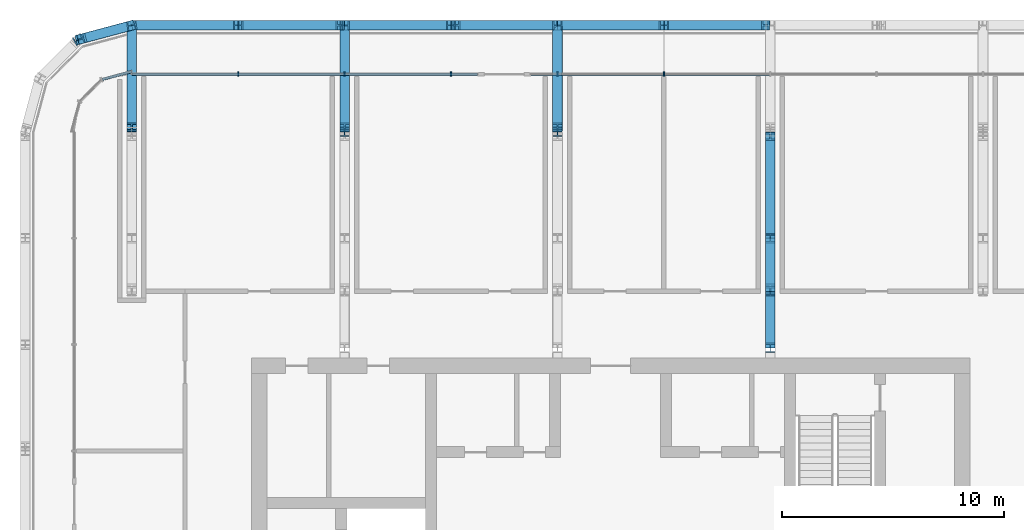
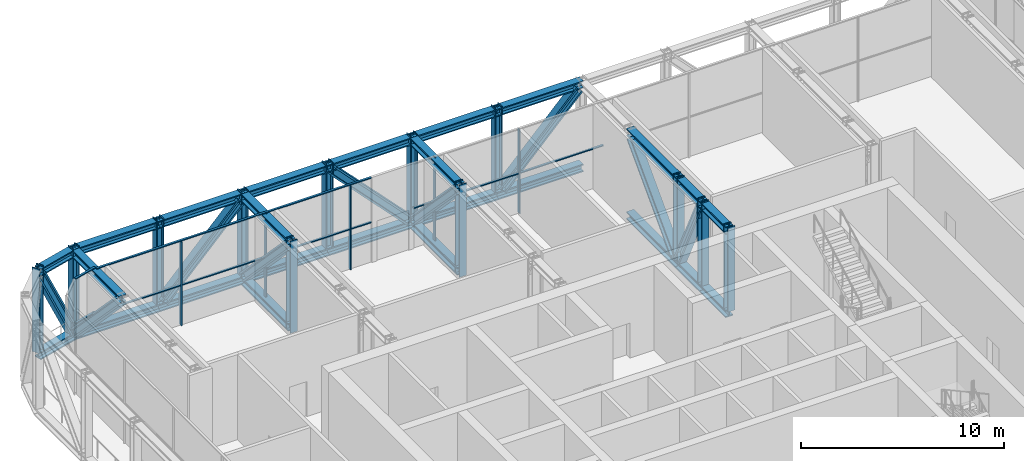
# One storey, part 8 of 22: 61 members, 2 elements without a shape of their own.
"""IFC4 building model written with IfcOpenShell, lengths in metres."""

from ifc_helpers import new_model, si_unit, direction, frame, origin, origin_2d, place, context, subcontext, project, spatial, rectangle, i_section, extrude, material, layer, layer_set, material_profile, profile_set, type_object, element, aggregate, save


model = new_model("IFC4")

# Units and contexts
model_context = context("Model", 3, precision=1e-05, world=origin(), true_north=direction((0.0, 1.0)))
body_context = subcontext(model_context, "Body", "Model", "MODEL_VIEW")
ifc_project = project(units=[si_unit("LENGTHUNIT", "METRE"), si_unit("AREAUNIT", "SQUARE_METRE"), si_unit("VOLUMEUNIT", "CUBIC_METRE"), si_unit("PLANEANGLEUNIT", "RADIAN"), si_unit("MASSUNIT", "GRAM", prefix="KILO")], contexts=[model_context])

# Site, building, storey
site_placement = place(None, origin())
site = spatial("IfcSite", under=ifc_project, at=site_placement, CompositionType="ELEMENT")
building_placement = place(site_placement, origin())
building = spatial("IfcBuilding", under=site, at=building_placement, Name="Madar Terraces", CompositionType="ELEMENT")
storey_placement = place(building_placement, frame((0.0, 0.0, 203.39990234375)))
storey = spatial("IfcBuildingStorey", under=building, at=storey_placement, Name="L53", CompositionType="ELEMENT", Elevation=203.39990234375)

# Members
ifc_material_1 = material(Name="Steel ASTM A992 Grade 50", Category="steel")
ifc_material_profile_1 = material_profile(ifc_material_1, i_section(OverallWidth=0.421630859375, OverallDepth=0.46484375, WebThickness=0.044921875, FlangeThickness=0.072509765625, at=origin_2d()), Name="W14x398")
ifc_profile_set_1 = profile_set([ifc_material_profile_1], Name="Steel ASTM A992 Grade 50")
member_type_1 = type_object("IfcMemberType", Name="BC7 W14x398", PredefinedType="CHORD", material=ifc_profile_set_1)
member_1_placement = place(storey_placement, frame((38.39990234375, 52.800048828125, -0.1875), z_axis=(-1.0, 0.0, 0.0), x_axis=(0.0, -1.0, 0.0)))
element("IfcMember", 1, at=member_1_placement, inside=storey, type_object=member_type_1, Name="Exoskeleton truss ring bottom chord BC7", PredefinedType="CHORD", context=body_context, shape_type="SweptSolid", body=[
    extrude(i_section(OverallWidth=0.421630859375, OverallDepth=0.46484375, WebThickness=0.044921875, FlangeThickness=0.072509765625, at=origin_2d()), origin(), (0.0, 0.0, 1.0), 4.7998046875),
])
for number, where, z_axis, x_axis, name in (
    (2, (33.60009765625, 52.800048828125, -0.1875), (-1.0, 0.0, 0.0), (0.0, -1.0, 0.0), "Exoskeleton truss ring bottom chord BC7"),
    (3, (28.800048828125, 52.800048828125, -0.1875), (-1.0, 0.0, 0.0), (0.0, -1.0, 0.0), "Exoskeleton truss ring bottom chord BC7"),
    (4, (24.0, 52.800048828125, -0.1875), (-1.0, 0.0, 0.0), (0.0, -1.0, 0.0), "Exoskeleton truss ring bottom chord BC7"),
    (5, (19.199951171875, 52.800048828125, -0.1875), (-1.0, 0.0, 0.0), (0.0, -1.0, 0.0), "Exoskeleton truss ring bottom chord BC7"),
):
    element("IfcMember", number, at=place(storey_placement, frame(where, z_axis=z_axis, x_axis=x_axis)), inside=storey, type_object=member_type_1, Name=name, PredefinedType="CHORD", context=body_context, shape_type="SweptSolid", body=[
        extrude(i_section(OverallWidth=0.421630859375, OverallDepth=0.46484375, WebThickness=0.044921875, FlangeThickness=0.072509765625, at=origin_2d()), origin(), (0.0, 0.0, 1.0), 4.800048828125),
    ])
member_2_placement = place(storey_placement, frame((14.39990234375, 52.800048828125, -0.1875), z_axis=(-1.0, 0.0, 0.0), x_axis=(0.0, -1.0, 0.0)))
element("IfcMember", 6, at=member_2_placement, inside=storey, type_object=member_type_1, Name="Exoskeleton truss ring bottom chord BC7", PredefinedType="CHORD", context=body_context, shape_type="SweptSolid", body=[
    extrude(i_section(OverallWidth=0.421630859375, OverallDepth=0.46484375, WebThickness=0.044921875, FlangeThickness=0.072509765625, at=origin_2d()), origin(), (0.0, 0.0, 1.0), 4.7998046875),
])
member_3_placement = place(storey_placement, frame((9.60009765625, 52.800048828125, -0.1875), z_axis=(-0.965930947833, -0.258799930484, 0.0), x_axis=(0.258799930484, -0.965930947833, 0.0)))
element("IfcMember", 7, at=member_3_placement, inside=storey, type_object=member_type_1, Name="Exoskeleton truss ring bottom chord BC7", PredefinedType="CHORD", context=body_context, shape_type="SweptSolid", body=[
    extrude(i_section(OverallWidth=0.421630859375, OverallDepth=0.46484375, WebThickness=0.044921875, FlangeThickness=0.072509765625, at=origin_2d()), origin(), (0.0, 0.0, 1.0), 2.48486328125),
])
for number, where, z_axis, x_axis, name in (
    (8, (19.199951171875, 52.589111328125, -0.1875), (0.0, -1.0, 0.0), (1.0, 0.0, 0.0), "Exoskeleton truss cross N19.2 bottom chord BC7"),
    (9, (28.800048828125, 52.589111328125, -0.1875), (0.0, -1.0, 0.0), (1.0, 0.0, 0.0), "Exoskeleton truss cross N28.8 bottom chord BC7"),
):
    element("IfcMember", number, at=place(storey_placement, frame(where, z_axis=z_axis, x_axis=x_axis)), inside=storey, type_object=member_type_1, Name=name, PredefinedType="CHORD", context=body_context, shape_type="SweptSolid", body=[
        extrude(i_section(OverallWidth=0.421630859375, OverallDepth=0.46484375, WebThickness=0.044921875, FlangeThickness=0.072509765625, at=origin_2d()), origin(), (0.0, 0.0, 1.0), 4.589111328125),
    ])
member_4_placement = place(storey_placement, frame((38.39990234375, 48.0, -0.1875), z_axis=(0.0, -1.0, 0.0), x_axis=(1.0, 0.0, 0.0)))
element("IfcMember", 10, at=member_4_placement, inside=storey, type_object=member_type_1, Name="Exoskeleton truss cross N38.4 bottom chord BC7", PredefinedType="CHORD", context=body_context, shape_type="SweptSolid", body=[
    extrude(i_section(OverallWidth=0.421630859375, OverallDepth=0.46484375, WebThickness=0.044921875, FlangeThickness=0.072509765625, at=origin_2d()), origin(), (0.0, 0.0, 1.0), 4.800048828125),
])
member_5_placement = place(storey_placement, frame((38.39990234375, 43.199951171875, -0.1875), z_axis=(0.0, -1.0, 0.0), x_axis=(1.0, 0.0, 0.0)))
element("IfcMember", 11, at=member_5_placement, inside=storey, type_object=member_type_1, Name="Exoskeleton truss cross N38.4 bottom chord BC7", PredefinedType="CHORD", context=body_context, shape_type="SweptSolid", body=[
    extrude(i_section(OverallWidth=0.421630859375, OverallDepth=0.46484375, WebThickness=0.044921875, FlangeThickness=0.072509765625, at=origin_2d()), origin(), (0.0, 0.0, 1.0), 2.39990234375),
])
member_6_placement = place(storey_placement, frame((38.39990234375, 40.800048828125, -0.1875), z_axis=(0.0, -1.0, 0.0), x_axis=(1.0, 0.0, 0.0)))
element("IfcMember", 12, at=member_6_placement, inside=storey, type_object=member_type_1, Name="Exoskeleton truss cross N38.4 bottom chord BC7", PredefinedType="CHORD", context=body_context, shape_type="SweptSolid", body=[
    extrude(i_section(OverallWidth=0.421630859375, OverallDepth=0.46484375, WebThickness=0.044921875, FlangeThickness=0.072509765625, at=origin_2d()), origin(), (0.0, 0.0, 1.0), 2.550048828125),
])

# Curtain wall, members
ifc_material_2 = material(Name="Glass, ceramic frit dark grey, with black aluminium frame", Category="aluminium")
ifc_layer = layer(ifc_material_2, 0.199951171875)
ifc_layer_set = layer_set([ifc_layer], Name="Facade curtain wall, tall glazing")
curtain_wall_type = type_object("IfcCurtainWallType", Name="Facade curtain wall, tall glazing", PredefinedType="NOTDEFINED", material=ifc_layer_set)
curtain_wall_1_placement = place(storey_placement, origin())
curtain_wall_1 = element("IfcCurtainWall", 13, at=curtain_wall_1_placement, inside=storey, type_object=curtain_wall_type, Name="Outer skin curtain wall north bay 1", PredefinedType="NOTDEFINED")
ifc_material_3 = material(Name="Aluminium, black anodised", Category="aluminium")
ifc_material_profile_2 = material_profile(ifc_material_3, rectangle(XDim=0.199951171875, YDim=0.06005859375, at=origin_2d()), Name="Facade mullion 60x200")
ifc_profile_set_2 = profile_set([ifc_material_profile_2], Name="Aluminium, black anodised")
member_type_2 = type_object("IfcMemberType", Name="Facade mullion 60x200", PredefinedType="MULLION", material=ifc_profile_set_2)
member_7_placement = place(storey_placement, frame((33.60009765625, 50.60009765625, 0.0), z_axis=(0.0, 0.0, 1.0), x_axis=(0.0, -1.0, 0.0)))
member_7 = element("IfcMember", 14, at=member_7_placement, type_object=member_type_2, Name="Mullion 5", PredefinedType="MULLION", context=body_context, shape_type="SweptSolid", body=[
    extrude(rectangle(XDim=0.199951171875, YDim=0.06005859375, at=origin_2d()), origin(), (0.0, 0.0, 1.0), 5.0400390625),
])
member_8_placement = place(storey_placement, frame((28.800048828125, 50.60009765625, 0.0), z_axis=(0.0, 0.0, 1.0), x_axis=(0.0, -1.0, 0.0)))
member_8 = element("IfcMember", 15, at=member_8_placement, type_object=member_type_2, Name="Mullion 6", PredefinedType="MULLION", context=body_context, shape_type="SweptSolid", body=[
    extrude(rectangle(XDim=0.199951171875, YDim=0.06005859375, at=origin_2d()), origin(), (0.0, 0.0, 1.0), 5.0400390625),
])
member_9_placement = place(storey_placement, frame((24.0, 50.60009765625, 0.0), z_axis=(0.0, 0.0, 1.0), x_axis=(0.0, -1.0, 0.0)))
member_9 = element("IfcMember", 16, at=member_9_placement, type_object=member_type_2, Name="Mullion 7", PredefinedType="MULLION", context=body_context, shape_type="SweptSolid", body=[
    extrude(rectangle(XDim=0.199951171875, YDim=0.06005859375, at=origin_2d()), origin(), (0.0, 0.0, 1.0), 5.0400390625),
])
member_10_placement = place(storey_placement, frame((19.199951171875, 50.60009765625, 0.0), z_axis=(0.0, 0.0, 1.0), x_axis=(0.0, -1.0, 0.0)))
member_10 = element("IfcMember", 17, at=member_10_placement, type_object=member_type_2, Name="Mullion 8", PredefinedType="MULLION", context=body_context, shape_type="SweptSolid", body=[
    extrude(rectangle(XDim=0.199951171875, YDim=0.06005859375, at=origin_2d()), origin(), (0.0, 0.0, 1.0), 5.0400390625),
])
member_11_placement = place(storey_placement, frame((14.39990234375, 50.60009765625, 0.0), z_axis=(0.0, 0.0, 1.0), x_axis=(0.0, -1.0, 0.0)))
member_11 = element("IfcMember", 18, at=member_11_placement, type_object=member_type_2, Name="Mullion 9", PredefinedType="MULLION", context=body_context, shape_type="SweptSolid", body=[
    extrude(rectangle(XDim=0.199951171875, YDim=0.06005859375, at=origin_2d()), origin(), (0.0, 0.0, 1.0), 5.0400390625),
])
ifc_material_4 = material(Name="Aluminium, black anodised", Category="aluminium")
ifc_material_profile_3 = material_profile(ifc_material_4, rectangle(XDim=0.1201171875, YDim=0.06005859375, at=origin_2d()), Name="Facade transom 60x120")
ifc_profile_set_3 = profile_set([ifc_material_profile_3], Name="Aluminium, black anodised")
member_type_3 = type_object("IfcMemberType", Name="Facade transom 60x120", PredefinedType="USERDEFINED", material=ifc_profile_set_3)
member_12_placement = place(storey_placement, frame((38.3701171875, 50.60009765625, 2.400146484375), z_axis=(-1.0, 0.0, 0.0), x_axis=(0.0, -1.0, 0.0)))
member_12 = element("IfcMember", 19, at=member_12_placement, type_object=member_type_3, Name="Transom 6", ObjectType="TRANSOM", PredefinedType="USERDEFINED", context=body_context, shape_type="SweptSolid", body=[
    extrude(rectangle(XDim=0.1201171875, YDim=0.06005859375, at=origin_2d()), origin(), (0.0, 0.0, 1.0), 4.740234375),
])
member_13_placement = place(storey_placement, frame((33.570068359375, 50.60009765625, 2.400146484375), z_axis=(-1.0, 0.0, 0.0), x_axis=(0.0, -1.0, 0.0)))
member_13 = element("IfcMember", 20, at=member_13_placement, type_object=member_type_3, Name="Transom 7", ObjectType="TRANSOM", PredefinedType="USERDEFINED", context=body_context, shape_type="SweptSolid", body=[
    extrude(rectangle(XDim=0.1201171875, YDim=0.06005859375, at=origin_2d()), origin(), (0.0, 0.0, 1.0), 4.739990234375),
])
member_14_placement = place(storey_placement, frame((28.77001953125, 50.60009765625, 2.400146484375), z_axis=(-1.0, 0.0, 0.0), x_axis=(0.0, -1.0, 0.0)))
member_14 = element("IfcMember", 21, at=member_14_placement, type_object=member_type_3, Name="Transom 8", ObjectType="TRANSOM", PredefinedType="USERDEFINED", context=body_context, shape_type="SweptSolid", body=[
    extrude(rectangle(XDim=0.1201171875, YDim=0.06005859375, at=origin_2d()), origin(), (0.0, 0.0, 1.0), 1.169921875),
])
member_15_placement = place(storey_placement, frame((25.199951171875, 50.60009765625, 5.070068359375), z_axis=(-1.0, 0.0, 0.0), x_axis=(0.0, -1.0, 0.0)))
member_15 = element("IfcMember", 22, at=member_15_placement, type_object=member_type_3, Name="Transom 9", ObjectType="TRANSOM", PredefinedType="USERDEFINED", context=body_context, shape_type="SweptSolid", body=[
    extrude(rectangle(XDim=0.1201171875, YDim=0.06005859375, at=origin_2d()), origin(), (0.0, 0.0, 1.0), 15.599853515625),
])
member_16_placement = place(storey_placement, frame((25.199951171875, 50.60009765625, 2.400146484375), z_axis=(-1.0, 0.0, 0.0), x_axis=(0.0, -1.0, 0.0)))
member_16 = element("IfcMember", 23, at=member_16_placement, type_object=member_type_3, Name="Transom 10", ObjectType="TRANSOM", PredefinedType="USERDEFINED", context=body_context, shape_type="SweptSolid", body=[
    extrude(rectangle(XDim=0.1201171875, YDim=0.06005859375, at=origin_2d()), origin(), (0.0, 0.0, 1.0), 1.169921875),
])
member_17_placement = place(storey_placement, frame((23.969970703125, 50.60009765625, 2.400146484375), z_axis=(-1.0, 0.0, 0.0), x_axis=(0.0, -1.0, 0.0)))
member_17 = element("IfcMember", 24, at=member_17_placement, type_object=member_type_3, Name="Transom 11", ObjectType="TRANSOM", PredefinedType="USERDEFINED", context=body_context, shape_type="SweptSolid", body=[
    extrude(rectangle(XDim=0.1201171875, YDim=0.06005859375, at=origin_2d()), origin(), (0.0, 0.0, 1.0), 4.739990234375),
])
member_18_placement = place(storey_placement, frame((19.169921875, 50.60009765625, 2.400146484375), z_axis=(-1.0, 0.0, 0.0), x_axis=(0.0, -1.0, 0.0)))
member_18 = element("IfcMember", 25, at=member_18_placement, type_object=member_type_3, Name="Transom 12", ObjectType="TRANSOM", PredefinedType="USERDEFINED", context=body_context, shape_type="SweptSolid", body=[
    extrude(rectangle(XDim=0.1201171875, YDim=0.06005859375, at=origin_2d()), origin(), (0.0, 0.0, 1.0), 4.739990234375),
])
member_19_placement = place(storey_placement, frame((14.3701171875, 50.60009765625, 2.400146484375), z_axis=(-1.0, 0.0, 0.0), x_axis=(0.0, -1.0, 0.0)))
member_19 = element("IfcMember", 26, at=member_19_placement, type_object=member_type_3, Name="Transom 13", ObjectType="TRANSOM", PredefinedType="USERDEFINED", context=body_context, shape_type="SweptSolid", body=[
    extrude(rectangle(XDim=0.1201171875, YDim=0.06005859375, at=origin_2d()), origin(), (0.0, 0.0, 1.0), 4.77001953125),
])
aggregate(curtain_wall_1, [member_7, member_8, member_12, member_13, member_14, member_9, member_10, member_11, member_15, member_16, member_17, member_18, member_19])

curtain_wall_2_placement = place(storey_placement, origin())
curtain_wall_2 = element("IfcCurtainWall", 27, at=curtain_wall_2_placement, inside=storey, type_object=curtain_wall_type, Name="Outer skin curtain wall north-west corner", PredefinedType="NOTDEFINED")
member_20_placement = place(storey_placement, frame((9.60009765625, 50.719970703125, 5.070068359375), z_axis=(-0.965919580711, -0.258842352791, 0.0), x_axis=(0.258842352791, -0.965919580711, 0.0)))
member_20 = element("IfcMember", 28, at=member_20_placement, type_object=member_type_3, Name="Transom 1", ObjectType="TRANSOM", PredefinedType="USERDEFINED", context=body_context, shape_type="SweptSolid", body=[
    extrude(rectangle(XDim=0.1201171875, YDim=0.06005859375, at=origin_2d()), origin(), (0.0, 0.0, 1.0), 1.3779296875),
])
member_21_placement = place(storey_placement, frame((9.60009765625, 50.719970703125, 2.400146484375), z_axis=(-0.965919580711, -0.258842352791, 0.0), x_axis=(0.258842352791, -0.965919580711, 0.0)))
member_21 = element("IfcMember", 29, at=member_21_placement, type_object=member_type_3, Name="Transom 2", ObjectType="TRANSOM", PredefinedType="USERDEFINED", context=body_context, shape_type="SweptSolid", body=[
    extrude(rectangle(XDim=0.1201171875, YDim=0.06005859375, at=origin_2d()), origin(), (0.0, 0.0, 1.0), 1.3779296875),
])
aggregate(curtain_wall_2, [member_20, member_21])

# Members
ifc_material_5 = material(Name="Steel ASTM A992 Grade 50", Category="steel")
ifc_material_profile_4 = material_profile(ifc_material_5, i_section(OverallWidth=0.41650390625, OverallDepth=0.444580078125, WebThickness=0.0390625, FlangeThickness=0.062744140625, at=origin_2d()), Name="W14x342")
ifc_profile_set_4 = profile_set([ifc_material_profile_4], Name="Steel ASTM A992 Grade 50")
member_type_4 = type_object("IfcMemberType", Name="TC7 W14x342", PredefinedType="CHORD", material=ifc_profile_set_4)
member_22_placement = place(storey_placement, frame((38.39990234375, 52.800048828125, 4.807861328125), z_axis=(-1.0, 0.0, 0.0), x_axis=(0.0, -1.0, 0.0)))
element("IfcMember", 30, at=member_22_placement, inside=storey, type_object=member_type_4, Name="Exoskeleton truss ring top chord TC7", PredefinedType="CHORD", context=body_context, shape_type="SweptSolid", body=[
    extrude(i_section(OverallWidth=0.41650390625, OverallDepth=0.444580078125, WebThickness=0.0390625, FlangeThickness=0.062744140625, at=origin_2d()), origin(), (0.0, 0.0, 1.0), 4.7998046875),
])
for number, where, z_axis, x_axis, name in (
    (31, (33.60009765625, 52.800048828125, 4.807861328125), (-1.0, 0.0, 0.0), (0.0, -1.0, 0.0), "Exoskeleton truss ring top chord TC7"),
    (32, (28.800048828125, 52.800048828125, 4.807861328125), (-1.0, 0.0, 0.0), (0.0, -1.0, 0.0), "Exoskeleton truss ring top chord TC7"),
    (33, (24.0, 52.800048828125, 4.807861328125), (-1.0, 0.0, 0.0), (0.0, -1.0, 0.0), "Exoskeleton truss ring top chord TC7"),
    (34, (19.199951171875, 52.800048828125, 4.807861328125), (-1.0, 0.0, 0.0), (0.0, -1.0, 0.0), "Exoskeleton truss ring top chord TC7"),
):
    element("IfcMember", number, at=place(storey_placement, frame(where, z_axis=z_axis, x_axis=x_axis)), inside=storey, type_object=member_type_4, Name=name, PredefinedType="CHORD", context=body_context, shape_type="SweptSolid", body=[
        extrude(i_section(OverallWidth=0.41650390625, OverallDepth=0.444580078125, WebThickness=0.0390625, FlangeThickness=0.062744140625, at=origin_2d()), origin(), (0.0, 0.0, 1.0), 4.800048828125),
    ])
member_23_placement = place(storey_placement, frame((14.39990234375, 52.800048828125, 4.807861328125), z_axis=(-1.0, 0.0, 0.0), x_axis=(0.0, -1.0, 0.0)))
element("IfcMember", 35, at=member_23_placement, inside=storey, type_object=member_type_4, Name="Exoskeleton truss ring top chord TC7", PredefinedType="CHORD", context=body_context, shape_type="SweptSolid", body=[
    extrude(i_section(OverallWidth=0.41650390625, OverallDepth=0.444580078125, WebThickness=0.0390625, FlangeThickness=0.062744140625, at=origin_2d()), origin(), (0.0, 0.0, 1.0), 4.7998046875),
])
member_24_placement = place(storey_placement, frame((9.60009765625, 52.800048828125, 4.807861328125), z_axis=(-0.965930947833, -0.258799930484, 0.0), x_axis=(0.258799930484, -0.965930947833, 0.0)))
element("IfcMember", 36, at=member_24_placement, inside=storey, type_object=member_type_4, Name="Exoskeleton truss ring top chord TC7", PredefinedType="CHORD", context=body_context, shape_type="SweptSolid", body=[
    extrude(i_section(OverallWidth=0.41650390625, OverallDepth=0.444580078125, WebThickness=0.0390625, FlangeThickness=0.062744140625, at=origin_2d()), origin(), (0.0, 0.0, 1.0), 2.48486328125),
])
for number, where, z_axis, x_axis, name in (
    (37, (9.60009765625, 52.591796875, 4.807861328125), (0.0, -1.0, 0.0), (1.0, 0.0, 0.0), "Exoskeleton truss cross N9.6 top chord TC7"),
    (38, (19.199951171875, 52.591796875, 4.807861328125), (0.0, -1.0, 0.0), (1.0, 0.0, 0.0), "Exoskeleton truss cross N19.2 top chord TC7"),
    (39, (28.800048828125, 52.591796875, 4.807861328125), (0.0, -1.0, 0.0), (1.0, 0.0, 0.0), "Exoskeleton truss cross N28.8 top chord TC7"),
):
    element("IfcMember", number, at=place(storey_placement, frame(where, z_axis=z_axis, x_axis=x_axis)), inside=storey, type_object=member_type_4, Name=name, PredefinedType="CHORD", context=body_context, shape_type="SweptSolid", body=[
        extrude(i_section(OverallWidth=0.41650390625, OverallDepth=0.444580078125, WebThickness=0.0390625, FlangeThickness=0.062744140625, at=origin_2d()), origin(), (0.0, 0.0, 1.0), 4.591796875),
    ])
member_25_placement = place(storey_placement, frame((38.39990234375, 48.0, 4.807861328125), z_axis=(0.0, -1.0, 0.0), x_axis=(1.0, 0.0, 0.0)))
element("IfcMember", 40, at=member_25_placement, inside=storey, type_object=member_type_4, Name="Exoskeleton truss cross N38.4 top chord TC7", PredefinedType="CHORD", context=body_context, shape_type="SweptSolid", body=[
    extrude(i_section(OverallWidth=0.41650390625, OverallDepth=0.444580078125, WebThickness=0.0390625, FlangeThickness=0.062744140625, at=origin_2d()), origin(), (0.0, 0.0, 1.0), 4.800048828125),
])
member_26_placement = place(storey_placement, frame((38.39990234375, 43.199951171875, 4.807861328125), z_axis=(0.0, -1.0, 0.0), x_axis=(1.0, 0.0, 0.0)))
element("IfcMember", 41, at=member_26_placement, inside=storey, type_object=member_type_4, Name="Exoskeleton truss cross N38.4 top chord TC7", PredefinedType="CHORD", context=body_context, shape_type="SweptSolid", body=[
    extrude(i_section(OverallWidth=0.41650390625, OverallDepth=0.444580078125, WebThickness=0.0390625, FlangeThickness=0.062744140625, at=origin_2d()), origin(), (0.0, 0.0, 1.0), 2.39990234375),
])
member_27_placement = place(storey_placement, frame((38.39990234375, 40.800048828125, 4.807861328125), z_axis=(0.0, -1.0, 0.0), x_axis=(1.0, 0.0, 0.0)))
element("IfcMember", 42, at=member_27_placement, inside=storey, type_object=member_type_4, Name="Exoskeleton truss cross N38.4 top chord TC7", PredefinedType="CHORD", context=body_context, shape_type="SweptSolid", body=[
    extrude(i_section(OverallWidth=0.41650390625, OverallDepth=0.444580078125, WebThickness=0.0390625, FlangeThickness=0.062744140625, at=origin_2d()), origin(), (0.0, 0.0, 1.0), 2.550048828125),
])
ifc_material_6 = material(Name="Steel ASTM A992 Grade 50", Category="steel")
ifc_material_profile_5 = material_profile(ifc_material_6, i_section(OverallWidth=0.436767578125, OverallDepth=0.51318359375, WebThickness=0.060546875, FlangeThickness=0.096923828125, at=origin_2d()), Name="W14x550")
ifc_profile_set_5 = profile_set([ifc_material_profile_5], Name="Steel ASTM A992 Grade 50")
member_type_5 = type_object("IfcMemberType", Name="TD7 W14x550", PredefinedType="BRACE", material=ifc_profile_set_5)
member_28_placement = place(storey_placement, frame((38.1865234375, 52.800048828125, 4.585693359375), z_axis=(-0.692873921852, 0.0, -0.721058755177), x_axis=(0.0, -1.0, 0.0)))
element("IfcMember", 43, at=member_28_placement, inside=storey, type_object=member_type_5, Name="Exoskeleton truss ring diagonal TD7", PredefinedType="BRACE", context=body_context, shape_type="SweptSolid", body=[
    extrude(i_section(OverallWidth=0.436767578125, OverallDepth=0.51318359375, WebThickness=0.060546875, FlangeThickness=0.096923828125, at=origin_2d()), origin(), (0.0, 0.0, 1.0), 6.29736328125),
])
for number, where, z_axis, x_axis, name in (
    (44, (28.57666015625, 52.800048828125, 0.044921875), (-0.692853764203, 0.0, 0.721078124359), (0.0, -1.0, 0.0), "Exoskeleton truss ring diagonal TD7"),
    (45, (18.986328125, 52.800048828125, 4.585693359375), (-0.692853764203, 0.0, -0.721078124359), (0.0, -1.0, 0.0), "Exoskeleton truss ring diagonal TD7"),
):
    element("IfcMember", number, at=place(storey_placement, frame(where, z_axis=z_axis, x_axis=x_axis)), inside=storey, type_object=member_type_5, Name=name, PredefinedType="BRACE", context=body_context, shape_type="SweptSolid", body=[
        extrude(i_section(OverallWidth=0.436767578125, OverallDepth=0.51318359375, WebThickness=0.060546875, FlangeThickness=0.096923828125, at=origin_2d()), origin(), (0.0, 0.0, 1.0), 6.297119140625),
    ])
member_29_placement = place(storey_placement, frame((9.48828125, 52.77001953125, 0.044921875), z_axis=(-0.430140230905, -0.115249660077, 0.895375283112), x_axis=(0.258806332687, -0.965929232481, 0.0)))
element("IfcMember", 46, at=member_29_placement, inside=storey, type_object=member_type_5, Name="Exoskeleton truss ring diagonal TD7", PredefinedType="BRACE", context=body_context, shape_type="SweptSolid", body=[
    extrude(i_section(OverallWidth=0.436767578125, OverallDepth=0.51318359375, WebThickness=0.060546875, FlangeThickness=0.096923828125, at=origin_2d()), origin(), (0.0, 0.0, 1.0), 5.0712890625),
])
for number, where, z_axis, x_axis, name in (
    (47, (9.60009765625, 52.57666015625, 0.044921875), (0.0, -0.692853764203, 0.721078124359), (1.0, 0.0, 0.0), "Exoskeleton truss cross N9.6 diagonal TD7"),
    (48, (19.199951171875, 52.57666015625, 0.044921875), (0.0, -0.692853764203, 0.721078124359), (1.0, 0.0, 0.0), "Exoskeleton truss cross N19.2 diagonal TD7"),
    (49, (28.800048828125, 52.57666015625, 0.044921875), (0.0, -0.692853764203, 0.721078124359), (1.0, 0.0, 0.0), "Exoskeleton truss cross N28.8 diagonal TD7"),
    (50, (38.39990234375, 47.786376953125, 4.585693359375), (0.0, -0.692853764203, -0.721078124359), (1.0, 0.0, 0.0), "Exoskeleton truss cross N38.4 diagonal TD7"),
):
    element("IfcMember", number, at=place(storey_placement, frame(where, z_axis=z_axis, x_axis=x_axis)), inside=storey, type_object=member_type_5, Name=name, PredefinedType="BRACE", context=body_context, shape_type="SweptSolid", body=[
        extrude(i_section(OverallWidth=0.436767578125, OverallDepth=0.51318359375, WebThickness=0.060546875, FlangeThickness=0.096923828125, at=origin_2d()), origin(), (0.0, 0.0, 1.0), 6.297119140625),
    ])
member_30_placement = place(storey_placement, frame((38.39990234375, 43.08837890625, 0.044921875), z_axis=(0.0, -0.433065047911, 0.901362670781), x_axis=(1.0, 0.0, 0.0)))
element("IfcMember", 51, at=member_30_placement, inside=storey, type_object=member_type_5, Name="Exoskeleton truss cross N38.4 diagonal TD7", PredefinedType="BRACE", context=body_context, shape_type="SweptSolid", body=[
    extrude(i_section(OverallWidth=0.436767578125, OverallDepth=0.51318359375, WebThickness=0.060546875, FlangeThickness=0.096923828125, at=origin_2d()), origin(), (0.0, 0.0, 1.0), 5.03759765625),
])
ifc_material_7 = material(Name="Steel ASTM A992 Grade 50", Category="steel")
ifc_material_profile_6 = material_profile(ifc_material_7, i_section(OverallWidth=0.408935546875, OverallDepth=0.424072265625, WebThickness=0.03271484375, FlangeThickness=0.052490234375, at=origin_2d()), Name="W14x283")
ifc_profile_set_6 = profile_set([ifc_material_profile_6], Name="Steel ASTM A992 Grade 50")
member_type_6 = type_object("IfcMemberType", Name="TV7 W14x283", PredefinedType="POST", material=ifc_profile_set_6)
for number, where, z_axis, x_axis, name in (
    (52, (33.60009765625, 52.800048828125, 0.044921875), (0.0, 0.0, 1.0), (0.0, -1.0, 0.0), "Exoskeleton truss ring post TV7"),
    (53, (28.800048828125, 52.800048828125, 0.044921875), (0.0, 0.0, 1.0), (0.0, -1.0, 0.0), "Exoskeleton truss ring post TV7"),
    (54, (24.0, 52.800048828125, 0.044921875), (0.0, 0.0, 1.0), (0.0, -1.0, 0.0), "Exoskeleton truss ring post TV7"),
    (55, (19.199951171875, 52.800048828125, 0.044921875), (0.0, 0.0, 1.0), (0.0, -1.0, 0.0), "Exoskeleton truss ring post TV7"),
    (56, (14.39990234375, 52.800048828125, 0.044921875), (0.0, 0.0, 1.0), (0.0, -1.0, 0.0), "Exoskeleton truss ring post TV7"),
    (57, (9.60009765625, 52.800048828125, 0.044921875), (0.0, 0.0, 1.0), (0.130526174916, -0.991444863652, 0.0), "Exoskeleton truss ring post TV7"),
    (58, (7.199951171875, 52.156982421875, 0.044921875), (0.0, 0.0, 1.0), (0.499999984885, -0.866025412511, 0.0), "Exoskeleton truss ring post TV7"),
):
    element("IfcMember", number, at=place(storey_placement, frame(where, z_axis=z_axis, x_axis=x_axis)), inside=storey, type_object=member_type_6, Name=name, PredefinedType="POST", context=body_context, shape_type="SweptSolid", body=[
        extrude(i_section(OverallWidth=0.408935546875, OverallDepth=0.424072265625, WebThickness=0.03271484375, FlangeThickness=0.052490234375, at=origin_2d()), origin(), (0.0, 0.0, 1.0), 5.05517578125),
    ])
for number, where, z_axis, x_axis, name in (
    (59, (19.199951171875, 48.0, -0.419921875), (0.0, 0.0, 1.0), (-1.0, 0.0, 0.0), "Exoskeleton truss cross N19.2 post TV7"),
    (60, (28.800048828125, 48.0, -0.419921875), (0.0, 0.0, 1.0), (-1.0, 0.0, 0.0), "Exoskeleton truss cross N28.8 post TV7"),
):
    element("IfcMember", number, at=place(storey_placement, frame(where, z_axis=z_axis, x_axis=x_axis)), inside=storey, type_object=member_type_6, Name=name, PredefinedType="POST", context=body_context, shape_type="SweptSolid", body=[
        extrude(i_section(OverallWidth=0.408935546875, OverallDepth=0.424072265625, WebThickness=0.03271484375, FlangeThickness=0.052490234375, at=origin_2d()), origin(), (0.0, 0.0, 1.0), 5.52001953125),
    ])
for number, where, z_axis, x_axis, name in (
    (61, (38.39990234375, 43.199951171875, 0.044921875), (0.0, 0.0, 1.0), (-1.0, 0.0, 0.0), "Exoskeleton truss cross N38.4 post TV7"),
    (62, (38.39990234375, 40.800048828125, 0.044921875), (0.0, 0.0, 1.0), (-1.0, 0.0, 0.0), "Exoskeleton truss cross N38.4 post TV7"),
    (63, (38.39990234375, 38.25, 0.044921875), (0.0, 0.0, 1.0), (-1.0, 0.0, 0.0), "Exoskeleton truss cross N38.4 post TV7"),
):
    element("IfcMember", number, at=place(storey_placement, frame(where, z_axis=z_axis, x_axis=x_axis)), inside=storey, type_object=member_type_6, Name=name, PredefinedType="POST", context=body_context, shape_type="SweptSolid", body=[
        extrude(i_section(OverallWidth=0.408935546875, OverallDepth=0.424072265625, WebThickness=0.03271484375, FlangeThickness=0.052490234375, at=origin_2d()), origin(), (0.0, 0.0, 1.0), 5.05517578125),
    ])

save(model, "model.ifc")
